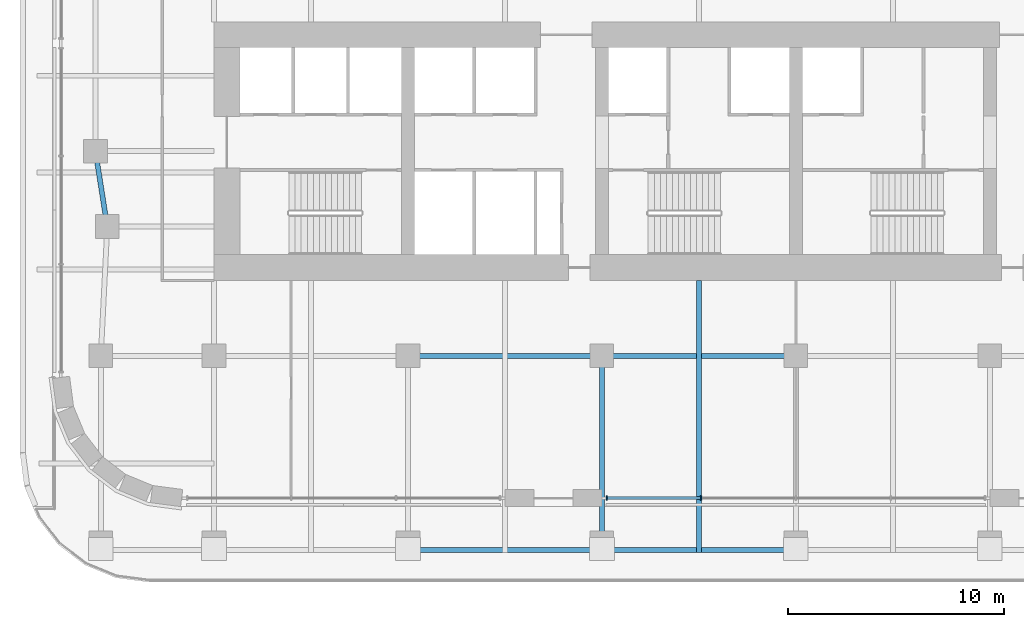
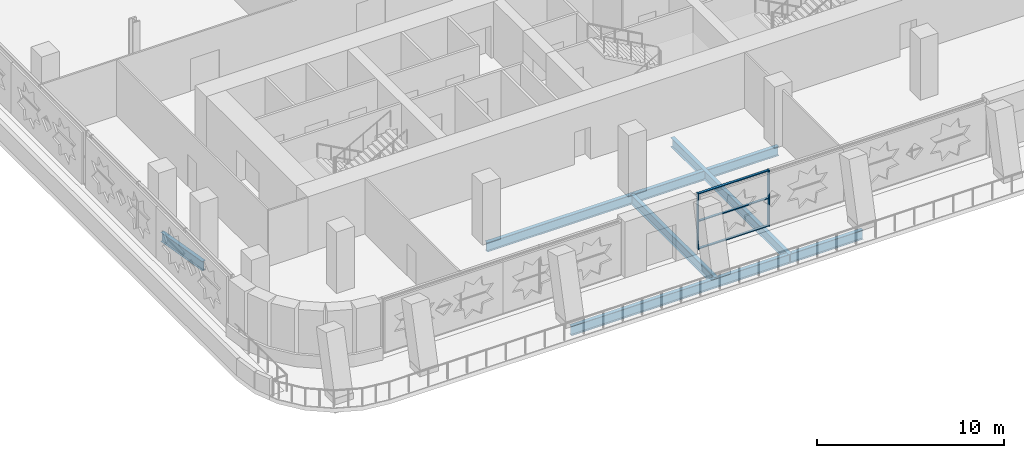
# One storey, part 3 of 26: 5 beams, 5 members, 1 element without a shape of its own.
"""IFC4 building model written with IfcOpenShell, lengths in metres."""

from ifc_helpers import new_model, si_unit, direction, frame, origin, origin_2d, place, context, subcontext, project, spatial, rectangle, i_section, extrude, material, material_profile, profile_set, type_object, element, aggregate, save


model = new_model("IFC4")

# Units and contexts
model_context = context("Model", 3, precision=1e-05, world=origin(), true_north=direction((0.0, 1.0)))
body_context = subcontext(model_context, "Body", "Model", "MODEL_VIEW")
ifc_project = project(units=[si_unit("LENGTHUNIT", "METRE"), si_unit("AREAUNIT", "SQUARE_METRE"), si_unit("VOLUMEUNIT", "CUBIC_METRE"), si_unit("PLANEANGLEUNIT", "RADIAN"), si_unit("MASSUNIT", "GRAM", prefix="KILO")], contexts=[model_context])

# Site, building, storey
site_placement = place(None, origin())
site = spatial("IfcSite", under=ifc_project, at=site_placement, CompositionType="ELEMENT")
building_placement = place(site_placement, origin())
building = spatial("IfcBuilding", under=site, at=building_placement, Name="Zellij Exchange Tower", CompositionType="ELEMENT")
storey_placement = place(building_placement, frame((0.0, 0.0, 100.5)))
storey = spatial("IfcBuildingStorey", under=building, at=storey_placement, Name="L21", CompositionType="ELEMENT", Elevation=100.5)

# Curtain wall, members
ifc_material_1 = material(Name="Aluminium frame, clear insulating glass", Category="aluminium")
curtain_wall_type = type_object("IfcCurtainWallType", Name="ENV-CW6 Sky-lobby glazing", PredefinedType="NOTDEFINED", material=ifc_material_1)
curtain_wall_placement = place(storey_placement, origin())
curtain_wall = element("IfcCurtainWall", 1, at=curtain_wall_placement, inside=storey, type_object=curtain_wall_type, Name="cw.L21.00c", PredefinedType="NOTDEFINED")
ifc_material_2 = material(Name="Aluminium", Category="aluminium")
ifc_material_profile_1 = material_profile(ifc_material_2, rectangle(XDim=0.06005859375, YDim=0.199951171875, at=origin_2d()), Name="AL 60x200")
ifc_profile_set_1 = profile_set([ifc_material_profile_1], Name="Aluminium")
member_type_1 = type_object("IfcMemberType", Name="ENV-CW6M Mullion 60x200", PredefinedType="MULLION", material=ifc_profile_set_1)
member_1_placement = place(storey_placement, frame((-8.77001953125, -24.10009765625, 0.0), z_axis=(0.0, 0.0, 1.0), x_axis=(1.0, 0.0, 0.0)))
member_1 = element("IfcMember", 2, at=member_1_placement, type_object=member_type_1, Name="CW6 mullion 1", PredefinedType="MULLION", context=body_context, shape_type="SweptSolid", body=[
    extrude(rectangle(XDim=0.06005859375, YDim=0.199951171875, at=origin_2d()), origin(), (0.0, 0.0, 1.0), 3.64990234375),
])
member_2_placement = place(storey_placement, frame((-4.39990234375, -24.10009765625, 0.0), z_axis=(0.0, 0.0, 1.0), x_axis=(1.0, 0.0, 0.0)))
member_2 = element("IfcMember", 3, at=member_2_placement, type_object=member_type_1, Name="CW6 mullion 2", PredefinedType="MULLION", context=body_context, shape_type="SweptSolid", body=[
    extrude(rectangle(XDim=0.06005859375, YDim=0.199951171875, at=origin_2d()), origin(), (0.0, 0.0, 1.0), 3.64990234375),
])
ifc_material_profile_2 = material_profile(ifc_material_2, rectangle(XDim=0.139892578125, YDim=0.06005859375, at=origin_2d()), Name="AL 140x60")
ifc_profile_set_2 = profile_set([ifc_material_profile_2], Name="Aluminium")
member_type_2 = type_object("IfcMemberType", Name="ENV-CW6T Transom 140x60", PredefinedType="USERDEFINED", material=ifc_profile_set_2)
member_3_placement = place(storey_placement, frame((-8.739990234375, -24.10009765625, 0.030029296875), z_axis=(1.0, 0.0, 0.0), x_axis=(0.0, 1.0, 0.0)))
member_3 = element("IfcMember", 4, at=member_3_placement, type_object=member_type_2, Name="CW6 transom 1.1", ObjectType="TRANSOM", PredefinedType="USERDEFINED", context=body_context, shape_type="SweptSolid", body=[
    extrude(rectangle(XDim=0.139892578125, YDim=0.06005859375, at=origin_2d()), origin(), (0.0, 0.0, 1.0), 4.31005859375),
])
member_4_placement = place(storey_placement, frame((-8.739990234375, -24.10009765625, 1.824951171875), z_axis=(1.0, 0.0, 0.0), x_axis=(0.0, 1.0, 0.0)))
member_4 = element("IfcMember", 5, at=member_4_placement, type_object=member_type_2, Name="CW6 transom 1.2", ObjectType="TRANSOM", PredefinedType="USERDEFINED", context=body_context, shape_type="SweptSolid", body=[
    extrude(rectangle(XDim=0.139892578125, YDim=0.06005859375, at=origin_2d()), origin(), (0.0, 0.0, 1.0), 4.31005859375),
])
member_5_placement = place(storey_placement, frame((-8.739990234375, -24.10009765625, 3.6201171875), z_axis=(1.0, 0.0, 0.0), x_axis=(0.0, 1.0, 0.0)))
member_5 = element("IfcMember", 6, at=member_5_placement, type_object=member_type_2, Name="CW6 transom 1.3", ObjectType="TRANSOM", PredefinedType="USERDEFINED", context=body_context, shape_type="SweptSolid", body=[
    extrude(rectangle(XDim=0.139892578125, YDim=0.06005859375, at=origin_2d()), origin(), (0.0, 0.0, 1.0), 4.31005859375),
])
aggregate(curtain_wall, [member_1, member_2, member_3, member_4, member_5])

# Beams
ifc_material_3 = material(Name="Structural steel ASTM A992 Gr 50", Category="steel")
ifc_material_profile_3 = material_profile(ifc_material_3, i_section(OverallWidth=0.227783203125, OverallDepth=0.60205078125, WebThickness=0.010498046875, FlangeThickness=0.014892578125, at=origin_2d()), Name="W24x68")
ifc_profile_set_3 = profile_set([ifc_material_profile_3], Name="Structural steel ASTM A992 Gr 50")
beam_type_1 = type_object("IfcBeamType", Name="STR-BEAM W24x68", PredefinedType="BEAM", material=ifc_profile_set_3)
beam_1_placement = place(storey_placement, frame((-4.5, -26.614501953125, -0.60107421875), z_axis=(0.0, 1.0, 0.0), x_axis=(-1.0, 0.0, 0.0)))
element("IfcBeam", 7, at=beam_1_placement, inside=storey, type_object=beam_type_1, Name="B5", PredefinedType="BEAM", context=body_context, shape_type="SweptSolid", body=[
    extrude(i_section(OverallWidth=0.227783203125, OverallDepth=0.60205078125, WebThickness=0.010498046875, FlangeThickness=0.014892578125, at=origin_2d()), origin(), (0.0, 0.0, 1.0), 12.614501953125),
])
ifc_material_profile_4 = material_profile(ifc_material_3, i_section(OverallWidth=0.22900390625, OverallDepth=0.612060546875, WebThickness=0.011962890625, FlangeThickness=0.01953125, at=origin_2d()), Name="W24x84")
ifc_profile_set_4 = profile_set([ifc_material_profile_4], Name="Structural steel ASTM A992 Gr 50")
beam_type_2 = type_object("IfcBeamType", Name="STR-EDGE GIRDER W24x84", PredefinedType="BEAM", material=ifc_profile_set_4)
beam_2_placement = place(storey_placement, frame((-31.949951171875, -11.5, -0.606201171875), z_axis=(-0.155251283593, 0.987875011802, 0.0), x_axis=(-0.987875011802, -0.155251283593, 0.0)))
element("IfcBeam", 8, at=beam_2_placement, inside=storey, type_object=beam_type_2, Name="EB6", PredefinedType="BEAM", context=body_context, shape_type="SweptSolid", body=[
    extrude(i_section(OverallWidth=0.22900390625, OverallDepth=0.612060546875, WebThickness=0.011962890625, FlangeThickness=0.01953125, at=origin_2d()), origin(), (0.0, 0.0, 1.0), 3.54296875),
])
ifc_material_profile_5 = material_profile(ifc_material_3, i_section(OverallWidth=0.22900390625, OverallDepth=0.612060546875, WebThickness=0.011962890625, FlangeThickness=0.01953125, at=origin_2d()), Name="W24x84")
ifc_profile_set_5 = profile_set([ifc_material_profile_5], Name="Structural steel ASTM A992 Gr 50")
beam_type_3 = type_object("IfcBeamType", Name="STR-GIRDER W24x84", PredefinedType="BEAM", material=ifc_profile_set_5)
for number, where, z_axis, x_axis, name in (
    (9, (-18.0, -26.5, -0.606201171875), (1.0, 0.0, 0.0), (0.0, 1.0, 0.0), "G4"),
    (10, (-18.0, -17.5, -0.606201171875), (1.0, 0.0, 0.0), (0.0, 1.0, 0.0), "G4"),
):
    element("IfcBeam", number, at=place(storey_placement, frame(where, z_axis=z_axis, x_axis=x_axis)), inside=storey, type_object=beam_type_3, Name=name, PredefinedType="BEAM", context=body_context, shape_type="SweptSolid", body=[
        extrude(i_section(OverallWidth=0.22900390625, OverallDepth=0.612060546875, WebThickness=0.011962890625, FlangeThickness=0.01953125, at=origin_2d()), origin(), (0.0, 0.0, 1.0), 18.0),
    ])
beam_3_placement = place(storey_placement, frame((-9.0, -26.5, -0.606201171875), z_axis=(0.0, 1.0, 0.0), x_axis=(-1.0, 0.0, 0.0)))
element("IfcBeam", 11, at=beam_3_placement, inside=storey, type_object=beam_type_3, Name="G4", PredefinedType="BEAM", context=body_context, shape_type="SweptSolid", body=[
    extrude(i_section(OverallWidth=0.22900390625, OverallDepth=0.612060546875, WebThickness=0.011962890625, FlangeThickness=0.01953125, at=origin_2d()), origin(), (0.0, 0.0, 1.0), 9.0),
])

save(model, "model.ifc")
